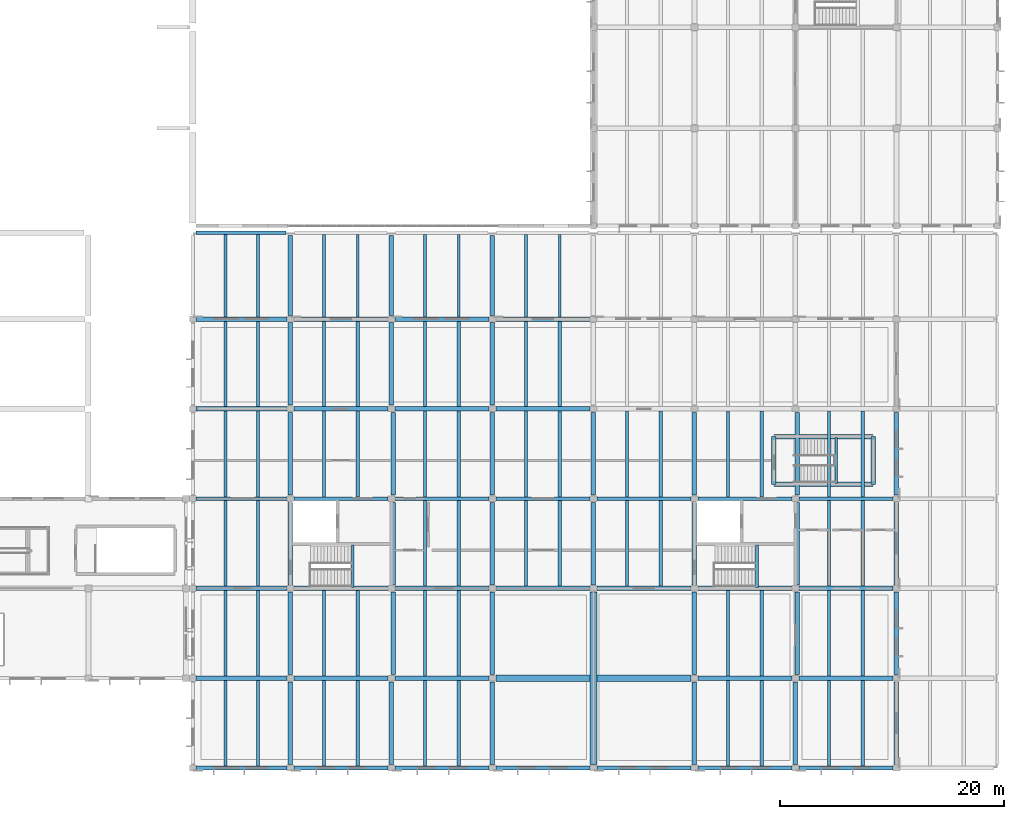
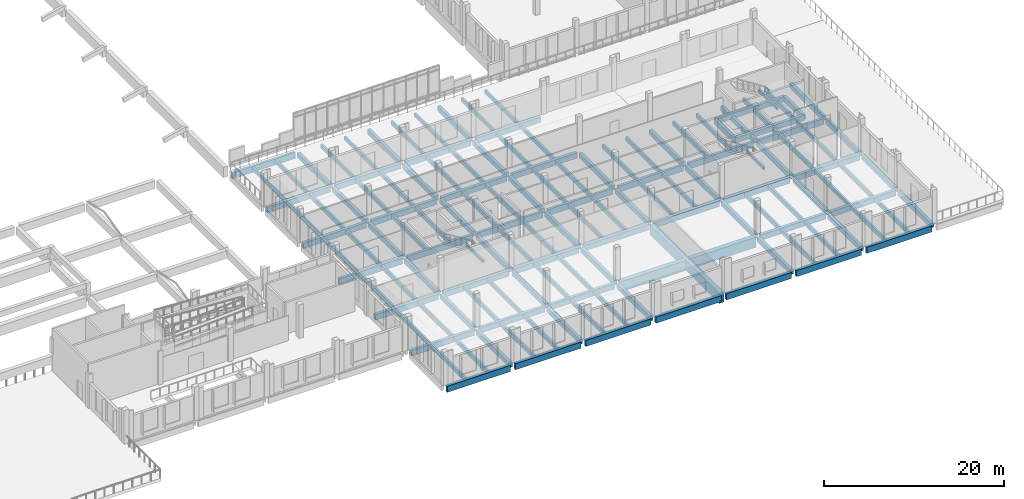
# One storey, part 14 of 63: 136 beams.
"""IFC4 building model written with IfcOpenShell, lengths in metres."""

from ifc_helpers import new_model, si_unit, direction, frame, origin, origin_2d, place, context, subcontext, project, spatial, rectangle, extrude, material, material_profile, profile_set, type_object, element, save


model = new_model("IFC4")

# Units and contexts
model_context = context("Model", 3, precision=1e-05, world=origin(), true_north=direction((0.0, 1.0)))
body_context = subcontext(model_context, "Body", "Model", "MODEL_VIEW")
ifc_project = project(units=[si_unit("LENGTHUNIT", "METRE"), si_unit("AREAUNIT", "SQUARE_METRE"), si_unit("VOLUMEUNIT", "CUBIC_METRE"), si_unit("PLANEANGLEUNIT", "RADIAN"), si_unit("MASSUNIT", "GRAM", prefix="KILO")], contexts=[model_context])

# Site, building, storey
site_placement = place(None, origin())
site = spatial("IfcSite", under=ifc_project, at=site_placement, CompositionType="ELEMENT")
building_placement = place(site_placement, origin())
building = spatial("IfcBuilding", under=site, at=building_placement, Name="Zacnel Wholesale Market", CompositionType="ELEMENT")
storey_placement = place(building_placement, frame((0.0, 0.0, 11.199951171875)))
storey = spatial("IfcBuildingStorey", under=building, at=storey_placement, Name="L03", CompositionType="ELEMENT", Elevation=11.199951171875)

# Beams
ifc_material_1 = material(Name="Precast concrete C45/55", Category="concrete")
ifc_material_profile_1 = material_profile(ifc_material_1, rectangle(XDim=0.280029296875, YDim=0.550048828125, at=origin_2d()), Name="DT RIB 280x550")
ifc_profile_set_1 = profile_set([ifc_material_profile_1], Name="Precast concrete C45/55")
beam_type_1 = type_object("IfcBeamType", Name="BM-DT550", PredefinedType="JOIST", material=ifc_profile_set_1)
for number, where, z_axis, x_axis, name in (
    (1, (147.199951171875, 0.159912109375, -0.574951171875), (0.0, 1.0, 0.0), (-1.0, 0.0, 0.0), "Precast secondary joist L03-0351"),
    (2, (150.10009765625, 0.159912109375, -0.574951171875), (0.0, 1.0, 0.0), (-1.0, 0.0, 0.0), "Precast secondary joist L03-0352"),
    (3, (156.0, 0.159912109375, -0.574951171875), (0.0, 1.0, 0.0), (-1.0, 0.0, 0.0), "Precast secondary joist L03-0353"),
    (4, (159.0, 0.159912109375, -0.574951171875), (0.0, 1.0, 0.0), (-1.0, 0.0, 0.0), "Precast secondary joist L03-0354"),
    (5, (165.0, 0.159912109375, -0.574951171875), (0.0, 1.0, 0.0), (-1.0, 0.0, 0.0), "Precast secondary joist L03-0355"),
    (6, (168.0, 0.159912109375, -0.574951171875), (0.0, 1.0, 0.0), (-1.0, 0.0, 0.0), "Precast secondary joist L03-0356"),
    (7, (192.0, 0.159912109375, -0.574951171875), (0.0, 1.0, 0.0), (-1.0, 0.0, 0.0), "Precast secondary joist L03-0357"),
    (8, (195.0, 0.159912109375, -0.574951171875), (0.0, 1.0, 0.0), (-1.0, 0.0, 0.0), "Precast secondary joist L03-0358"),
    (9, (201.0, 0.159912109375, -0.574951171875), (0.0, 1.0, 0.0), (-1.0, 0.0, 0.0), "Precast secondary joist L03-0359"),
    (10, (204.0, 0.159912109375, -0.574951171875), (0.0, 1.0, 0.0), (-1.0, 0.0, 0.0), "Precast secondary joist L03-0360"),
):
    element("IfcBeam", number, at=place(storey_placement, frame(where, z_axis=z_axis, x_axis=x_axis)), inside=storey, type_object=beam_type_1, Name=name, PredefinedType="JOIST", context=body_context, shape_type="SweptSolid", body=[
        extrude(rectangle(XDim=0.280029296875, YDim=0.550048828125, at=origin_2d()), origin(), (0.0, 0.0, 1.0), 7.64013671875),
    ])
for number, where, z_axis, x_axis, name in (
    (11, (147.199951171875, 8.199951171875, -0.574951171875), (0.0, 1.0, 0.0), (-1.0, 0.0, 0.0), "Precast secondary joist L03-0369"),
    (12, (150.10009765625, 8.199951171875, -0.574951171875), (0.0, 1.0, 0.0), (-1.0, 0.0, 0.0), "Precast secondary joist L03-0370"),
    (13, (156.0, 8.199951171875, -0.574951171875), (0.0, 1.0, 0.0), (-1.0, 0.0, 0.0), "Precast secondary joist L03-0371"),
    (14, (159.0, 8.199951171875, -0.574951171875), (0.0, 1.0, 0.0), (-1.0, 0.0, 0.0), "Precast secondary joist L03-0372"),
    (15, (165.0, 8.199951171875, -0.574951171875), (0.0, 1.0, 0.0), (-1.0, 0.0, 0.0), "Precast secondary joist L03-0373"),
    (16, (168.0, 8.199951171875, -0.574951171875), (0.0, 1.0, 0.0), (-1.0, 0.0, 0.0), "Precast secondary joist L03-0374"),
    (17, (192.0, 8.199951171875, -0.574951171875), (0.0, 1.0, 0.0), (-1.0, 0.0, 0.0), "Precast secondary joist L03-0375"),
    (18, (195.0, 8.199951171875, -0.574951171875), (0.0, 1.0, 0.0), (-1.0, 0.0, 0.0), "Precast secondary joist L03-0376"),
    (19, (201.0, 8.199951171875, -0.574951171875), (0.0, 1.0, 0.0), (-1.0, 0.0, 0.0), "Precast secondary joist L03-0377"),
    (20, (204.0, 8.199951171875, -0.574951171875), (0.0, 1.0, 0.0), (-1.0, 0.0, 0.0), "Precast secondary joist L03-0378"),
):
    element("IfcBeam", number, at=place(storey_placement, frame(where, z_axis=z_axis, x_axis=x_axis)), inside=storey, type_object=beam_type_1, Name=name, PredefinedType="JOIST", context=body_context, shape_type="SweptSolid", body=[
        extrude(rectangle(XDim=0.280029296875, YDim=0.550048828125, at=origin_2d()), origin(), (0.0, 0.0, 1.0), 7.60009765625),
    ])
for number, where, z_axis, x_axis, name in (
    (21, (147.199951171875, 16.199951171875, -0.574951171875), (0.0, 1.0, 0.0), (-1.0, 0.0, 0.0), "Precast secondary joist L03-0381"),
    (22, (150.10009765625, 16.199951171875, -0.574951171875), (0.0, 1.0, 0.0), (-1.0, 0.0, 0.0), "Precast secondary joist L03-0382"),
    (23, (165.0, 16.199951171875, -0.574951171875), (0.0, 1.0, 0.0), (-1.0, 0.0, 0.0), "Precast secondary joist L03-0383"),
    (24, (168.0, 16.199951171875, -0.574951171875), (0.0, 1.0, 0.0), (-1.0, 0.0, 0.0), "Precast secondary joist L03-0384"),
    (25, (174.0, 16.199951171875, -0.574951171875), (0.0, 1.0, 0.0), (-1.0, 0.0, 0.0), "Precast secondary joist L03-0385"),
    (26, (177.0, 16.199951171875, -0.574951171875), (0.0, 1.0, 0.0), (-1.0, 0.0, 0.0), "Precast secondary joist L03-0386"),
    (27, (183.0, 16.199951171875, -0.574951171875), (0.0, 1.0, 0.0), (-1.0, 0.0, 0.0), "Precast secondary joist L03-0387"),
    (28, (186.0, 16.199951171875, -0.574951171875), (0.0, 1.0, 0.0), (-1.0, 0.0, 0.0), "Precast secondary joist L03-0388"),
    (29, (201.0, 16.199951171875, -0.574951171875), (0.0, 1.0, 0.0), (-1.0, 0.0, 0.0), "Precast secondary joist L03-0389"),
    (30, (204.0, 16.199951171875, -0.574951171875), (0.0, 1.0, 0.0), (-1.0, 0.0, 0.0), "Precast secondary joist L03-0390"),
    (31, (147.199951171875, 24.159912109375, -0.574951171875), (0.0, 1.0, 0.0), (-1.0, 0.0, 0.0), "Precast secondary joist L03-0405"),
    (32, (150.10009765625, 24.159912109375, -0.574951171875), (0.0, 1.0, 0.0), (-1.0, 0.0, 0.0), "Precast secondary joist L03-0406"),
    (33, (156.0, 24.159912109375, -0.574951171875), (0.0, 1.0, 0.0), (-1.0, 0.0, 0.0), "Precast secondary joist L03-0407"),
    (34, (159.0, 24.159912109375, -0.574951171875), (0.0, 1.0, 0.0), (-1.0, 0.0, 0.0), "Precast secondary joist L03-0408"),
    (35, (165.0, 24.159912109375, -0.574951171875), (0.0, 1.0, 0.0), (-1.0, 0.0, 0.0), "Precast secondary joist L03-0409"),
    (36, (168.0, 24.159912109375, -0.574951171875), (0.0, 1.0, 0.0), (-1.0, 0.0, 0.0), "Precast secondary joist L03-0410"),
    (37, (174.0, 24.159912109375, -0.574951171875), (0.0, 1.0, 0.0), (-1.0, 0.0, 0.0), "Precast secondary joist L03-0411"),
    (38, (177.0, 24.159912109375, -0.574951171875), (0.0, 1.0, 0.0), (-1.0, 0.0, 0.0), "Precast secondary joist L03-0412"),
    (39, (183.0, 24.159912109375, -0.574951171875), (0.0, 1.0, 0.0), (-1.0, 0.0, 0.0), "Precast secondary joist L03-0413"),
    (40, (186.0, 24.159912109375, -0.574951171875), (0.0, 1.0, 0.0), (-1.0, 0.0, 0.0), "Precast secondary joist L03-0414"),
    (41, (192.0, 24.159912109375, -0.574951171875), (0.0, 1.0, 0.0), (-1.0, 0.0, 0.0), "Precast secondary joist L03-0415"),
    (42, (195.0, 24.159912109375, -0.574951171875), (0.0, 1.0, 0.0), (-1.0, 0.0, 0.0), "Precast secondary joist L03-0416"),
    (43, (201.0, 24.159912109375, -0.574951171875), (0.0, 1.0, 0.0), (-1.0, 0.0, 0.0), "Precast secondary joist L03-0417"),
    (44, (204.0, 24.159912109375, -0.574951171875), (0.0, 1.0, 0.0), (-1.0, 0.0, 0.0), "Precast secondary joist L03-0418"),
):
    element("IfcBeam", number, at=place(storey_placement, frame(where, z_axis=z_axis, x_axis=x_axis)), inside=storey, type_object=beam_type_1, Name=name, PredefinedType="JOIST", context=body_context, shape_type="SweptSolid", body=[
        extrude(rectangle(XDim=0.280029296875, YDim=0.550048828125, at=origin_2d()), origin(), (0.0, 0.0, 1.0), 7.64013671875),
    ])
for number, where, z_axis, x_axis, name in (
    (45, (147.199951171875, 32.199951171875, -0.574951171875), (0.0, 1.0, 0.0), (-1.0, 0.0, 0.0), "Precast secondary joist L03-0431"),
    (46, (150.10009765625, 32.199951171875, -0.574951171875), (0.0, 1.0, 0.0), (-1.0, 0.0, 0.0), "Precast secondary joist L03-0432"),
    (47, (156.0, 32.199951171875, -0.574951171875), (0.0, 1.0, 0.0), (-1.0, 0.0, 0.0), "Precast secondary joist L03-0433"),
    (48, (159.0, 32.199951171875, -0.574951171875), (0.0, 1.0, 0.0), (-1.0, 0.0, 0.0), "Precast secondary joist L03-0434"),
    (49, (165.0, 32.199951171875, -0.574951171875), (0.0, 1.0, 0.0), (-1.0, 0.0, 0.0), "Precast secondary joist L03-0435"),
    (50, (168.0, 32.199951171875, -0.574951171875), (0.0, 1.0, 0.0), (-1.0, 0.0, 0.0), "Precast secondary joist L03-0436"),
    (51, (174.0, 32.199951171875, -0.574951171875), (0.0, 1.0, 0.0), (-1.0, 0.0, 0.0), "Precast secondary joist L03-0437"),
    (52, (177.0, 32.199951171875, -0.574951171875), (0.0, 1.0, 0.0), (-1.0, 0.0, 0.0), "Precast secondary joist L03-0438"),
):
    element("IfcBeam", number, at=place(storey_placement, frame(where, z_axis=z_axis, x_axis=x_axis)), inside=storey, type_object=beam_type_1, Name=name, PredefinedType="JOIST", context=body_context, shape_type="SweptSolid", body=[
        extrude(rectangle(XDim=0.280029296875, YDim=0.550048828125, at=origin_2d()), origin(), (0.0, 0.0, 1.0), 7.60009765625),
    ])
ifc_material_2 = material(Name="Precast concrete C45/55", Category="concrete")
ifc_material_profile_2 = material_profile(ifc_material_2, rectangle(XDim=0.25, YDim=0.35009765625, at=origin_2d()), Name="LN 250x350")
ifc_profile_set_2 = profile_set([ifc_material_profile_2], Name="Precast concrete C45/55")
beam_type_2 = type_object("IfcBeamType", Name="BM-LN350", PredefinedType="LINTEL", material=ifc_profile_set_2)
for number, where, z_axis, x_axis, name in (
    (53, (158.56005859375, 16.080078125, 1.900146484375), (0.0, 1.0, 0.0), (-1.0, 0.0, 0.0), "Stair ST-03 half-landing bearing beam"),
    (54, (194.56005859375, 16.080078125, 1.900146484375), (0.0, 1.0, 0.0), (-1.0, 0.0, 0.0), "Stair ST-06 half-landing bearing beam"),
):
    element("IfcBeam", number, at=place(storey_placement, frame(where, z_axis=z_axis, x_axis=x_axis)), inside=storey, type_object=beam_type_2, Name=name, PredefinedType="LINTEL", context=body_context, shape_type="SweptSolid", body=[
        extrude(rectangle(XDim=0.25, YDim=0.35009765625, at=origin_2d()), origin(), (0.0, 0.0, 1.0), 3.7900390625),
    ])
beam_1_placement = place(storey_placement, frame((201.6298828125, 25.35009765625, 1.900146484375), z_axis=(0.0, 1.0, 0.0), x_axis=(-1.0, 0.0, 0.0)))
element("IfcBeam", 55, at=beam_1_placement, inside=storey, type_object=beam_type_2, Name="Stair ST-26 half-landing bearing beam", PredefinedType="LINTEL", context=body_context, shape_type="SweptSolid", body=[
    extrude(rectangle(XDim=0.25, YDim=0.35009765625, at=origin_2d()), origin(), (0.0, 0.0, 1.0), 4.099853515625),
])
ifc_material_3 = material(Name="Precast concrete C45/55", Category="concrete")
ifc_material_profile_3 = material_profile(ifc_material_3, rectangle(XDim=0.60009765625, YDim=1.35009765625, at=origin_2d()), Name="PG 600x1350")
ifc_profile_set_3 = profile_set([ifc_material_profile_3], Name="Precast concrete C45/55")
beam_type_3 = type_object("IfcBeamType", Name="BM-PG1350", PredefinedType="T_BEAM", material=ifc_profile_set_3)
beam_2_placement = place(storey_placement, frame((171.324951171875, 8.0, -0.974853515625), z_axis=(1.0, 0.0, 0.0), x_axis=(0.0, 1.0, 0.0)))
element("IfcBeam", 56, at=beam_2_placement, inside=storey, type_object=beam_type_3, Name="Precast girder X-0575", PredefinedType="T_BEAM", context=body_context, shape_type="SweptSolid", body=[
    extrude(rectangle(XDim=0.60009765625, YDim=1.35009765625, at=origin_2d()), origin(), (0.0, 0.0, 1.0), 17.35009765625),
])
beam_3_placement = place(storey_placement, frame((180.0, 0.324951171875, -0.974853515625), z_axis=(0.0, 1.0, 0.0), x_axis=(-1.0, 0.0, 0.0)))
element("IfcBeam", 57, at=beam_3_placement, inside=storey, type_object=beam_type_3, Name="Precast girder Y-0954", PredefinedType="T_BEAM", context=body_context, shape_type="SweptSolid", body=[
    extrude(rectangle(XDim=0.60009765625, YDim=1.35009765625, at=origin_2d()), origin(), (0.0, 0.0, 1.0), 15.35009765625),
])
ifc_material_4 = material(Name="Precast concrete C45/55", Category="concrete")
ifc_material_profile_4 = material_profile(ifc_material_4, rectangle(XDim=0.39990234375, YDim=0.64990234375, at=origin_2d()), Name="PG 400x650")
ifc_profile_set_4 = profile_set([ifc_material_profile_4], Name="Precast concrete C45/55")
beam_type_4 = type_object("IfcBeamType", Name="BM-PG650", PredefinedType="BEAM", material=ifc_profile_set_4)
for number, where, z_axis, x_axis, name in (
    (58, (153.0, 0.324951171875, -0.625), (0.0, 1.0, 0.0), (-1.0, 0.0, 0.0), "Precast girder Y-0933"),
    (59, (153.0, 8.324951171875, -0.625), (0.0, 1.0, 0.0), (-1.0, 0.0, 0.0), "Precast girder Y-0934"),
    (60, (153.0, 16.324951171875, -0.625), (0.0, 1.0, 0.0), (-1.0, 0.0, 0.0), "Precast girder Y-0935"),
    (61, (153.0, 24.324951171875, -0.625), (0.0, 1.0, 0.0), (-1.0, 0.0, 0.0), "Precast girder Y-0936"),
    (62, (153.0, 32.324951171875, -0.625), (0.0, 1.0, 0.0), (-1.0, 0.0, 0.0), "Precast girder Y-0937"),
):
    element("IfcBeam", number, at=place(storey_placement, frame(where, z_axis=z_axis, x_axis=x_axis)), inside=storey, type_object=beam_type_4, Name=name, PredefinedType="BEAM", context=body_context, shape_type="SweptSolid", body=[
        extrude(rectangle(XDim=0.39990234375, YDim=0.64990234375, at=origin_2d()), origin(), (0.0, 0.0, 1.0), 7.35009765625),
    ])
beam_4_placement = place(storey_placement, frame((153.0, 40.324951171875, -0.6650390625), z_axis=(0.0, 1.0, 0.0), x_axis=(-1.0, 0.0, 0.0)))
element("IfcBeam", 63, at=beam_4_placement, inside=storey, type_object=beam_type_4, Name="Precast girder Y-0938", PredefinedType="BEAM", context=body_context, shape_type="SweptSolid", body=[
    extrude(rectangle(XDim=0.39990234375, YDim=0.64990234375, at=origin_2d()), origin(), (0.0, 0.0, 1.0), 7.10009765625),
])
for number, where, z_axis, x_axis, name in (
    (64, (162.0, 0.324951171875, -0.625), (0.0, 1.0, 0.0), (-1.0, 0.0, 0.0), "Precast girder Y-0940"),
    (65, (162.179931640625, 8.324951171875, -0.625), (0.0, 1.0, 0.0), (-1.0, 0.0, 0.0), "Precast girder Y-0941"),
    (66, (162.179931640625, 16.324951171875, -0.625), (0.0, 1.0, 0.0), (-1.0, 0.0, 0.0), "Precast girder Y-0942"),
    (67, (162.179931640625, 24.324951171875, -0.625), (0.0, 1.0, 0.0), (-1.0, 0.0, 0.0), "Precast girder Y-0943"),
    (68, (162.0, 32.324951171875, -0.625), (0.0, 1.0, 0.0), (-1.0, 0.0, 0.0), "Precast girder Y-0944"),
):
    element("IfcBeam", number, at=place(storey_placement, frame(where, z_axis=z_axis, x_axis=x_axis)), inside=storey, type_object=beam_type_4, Name=name, PredefinedType="BEAM", context=body_context, shape_type="SweptSolid", body=[
        extrude(rectangle(XDim=0.39990234375, YDim=0.64990234375, at=origin_2d()), origin(), (0.0, 0.0, 1.0), 7.35009765625),
    ])
beam_5_placement = place(storey_placement, frame((162.0, 40.324951171875, -0.6650390625), z_axis=(0.0, 1.0, 0.0), x_axis=(-1.0, 0.0, 0.0)))
element("IfcBeam", 69, at=beam_5_placement, inside=storey, type_object=beam_type_4, Name="Precast girder Y-0945", PredefinedType="BEAM", context=body_context, shape_type="SweptSolid", body=[
    extrude(rectangle(XDim=0.39990234375, YDim=0.64990234375, at=origin_2d()), origin(), (0.0, 0.0, 1.0), 7.10009765625),
])
for number, where, z_axis, x_axis, name in (
    (70, (171.0, 0.324951171875, -0.625), (0.0, 1.0, 0.0), (-1.0, 0.0, 0.0), "Precast girder Y-0947"),
    (71, (171.0, 8.324951171875, -0.625), (0.0, 1.0, 0.0), (-1.0, 0.0, 0.0), "Precast girder Y-0948"),
    (72, (171.0, 16.324951171875, -0.625), (0.0, 1.0, 0.0), (-1.0, 0.0, 0.0), "Precast girder Y-0949"),
    (73, (171.0, 24.324951171875, -0.625), (0.0, 1.0, 0.0), (-1.0, 0.0, 0.0), "Precast girder Y-0950"),
    (74, (171.0, 32.324951171875, -0.625), (0.0, 1.0, 0.0), (-1.0, 0.0, 0.0), "Precast girder Y-0951"),
):
    element("IfcBeam", number, at=place(storey_placement, frame(where, z_axis=z_axis, x_axis=x_axis)), inside=storey, type_object=beam_type_4, Name=name, PredefinedType="BEAM", context=body_context, shape_type="SweptSolid", body=[
        extrude(rectangle(XDim=0.39990234375, YDim=0.64990234375, at=origin_2d()), origin(), (0.0, 0.0, 1.0), 7.35009765625),
    ])
beam_6_placement = place(storey_placement, frame((171.0, 40.324951171875, -0.6650390625), z_axis=(0.0, 1.0, 0.0), x_axis=(-1.0, 0.0, 0.0)))
element("IfcBeam", 75, at=beam_6_placement, inside=storey, type_object=beam_type_4, Name="Precast girder Y-0952", PredefinedType="BEAM", context=body_context, shape_type="SweptSolid", body=[
    extrude(rectangle(XDim=0.39990234375, YDim=0.64990234375, at=origin_2d()), origin(), (0.0, 0.0, 1.0), 7.10009765625),
])
for number, where, z_axis, x_axis, name in (
    (76, (180.0, 16.324951171875, -0.625), (0.0, 1.0, 0.0), (-1.0, 0.0, 0.0), "Precast girder Y-0955"),
    (77, (180.0, 24.324951171875, -0.625), (0.0, 1.0, 0.0), (-1.0, 0.0, 0.0), "Precast girder Y-0956"),
    (78, (189.0, 0.324951171875, -0.625), (0.0, 1.0, 0.0), (-1.0, 0.0, 0.0), "Precast girder Y-0965"),
    (79, (189.0, 8.324951171875, -0.625), (0.0, 1.0, 0.0), (-1.0, 0.0, 0.0), "Precast girder Y-0966"),
    (80, (189.0, 16.324951171875, -0.625), (0.0, 1.0, 0.0), (-1.0, 0.0, 0.0), "Precast girder Y-0967"),
    (81, (189.0, 24.324951171875, -0.625), (0.0, 1.0, 0.0), (-1.0, 0.0, 0.0), "Precast girder Y-0968"),
    (82, (198.0, 0.324951171875, -0.625), (0.0, 1.0, 0.0), (-1.0, 0.0, 0.0), "Precast girder Y-0977"),
    (83, (198.179931640625, 8.324951171875, -0.625), (0.0, 1.0, 0.0), (-1.0, 0.0, 0.0), "Precast girder Y-0978"),
    (84, (198.179931640625, 16.324951171875, -0.625), (0.0, 1.0, 0.0), (-1.0, 0.0, 0.0), "Precast girder Y-0979"),
    (85, (198.179931640625, 24.324951171875, -0.625), (0.0, 1.0, 0.0), (-1.0, 0.0, 0.0), "Precast girder Y-0980"),
    (86, (207.0, 0.324951171875, -0.625), (0.0, 1.0, 0.0), (-1.0, 0.0, 0.0), "Precast girder Y-0988"),
    (87, (207.0, 8.324951171875, -0.625), (0.0, 1.0, 0.0), (-1.0, 0.0, 0.0), "Precast girder Y-0989"),
    (88, (207.0, 16.324951171875, -0.625), (0.0, 1.0, 0.0), (-1.0, 0.0, 0.0), "Precast girder Y-0990"),
    (89, (207.0, 24.324951171875, -0.625), (0.0, 1.0, 0.0), (-1.0, 0.0, 0.0), "Precast girder Y-0991"),
):
    element("IfcBeam", number, at=place(storey_placement, frame(where, z_axis=z_axis, x_axis=x_axis)), inside=storey, type_object=beam_type_4, Name=name, PredefinedType="BEAM", context=body_context, shape_type="SweptSolid", body=[
        extrude(rectangle(XDim=0.39990234375, YDim=0.64990234375, at=origin_2d()), origin(), (0.0, 0.0, 1.0), 7.35009765625),
    ])
ifc_material_5 = material(Name="Precast concrete C45/55", Category="concrete")
ifc_material_profile_5 = material_profile(ifc_material_5, rectangle(XDim=0.39990234375, YDim=0.699951171875, at=origin_2d()), Name="PG 400x700")
ifc_profile_set_5 = profile_set([ifc_material_profile_5], Name="Precast concrete C45/55")
beam_type_5 = type_object("IfcBeamType", Name="BM-PG700", PredefinedType="BEAM", material=ifc_profile_set_5)
for number, where, z_axis, x_axis, name in (
    (90, (196.074951171875, 25.27490234375, -0.349853515625), (1.0, 0.0, 0.0), (0.0, 1.0, 0.0), "Stair ST-26 shaft transfer beam S"),
    (91, (196.074951171875, 29.52490234375, -0.349853515625), (1.0, 0.0, 0.0), (0.0, 1.0, 0.0), "Stair ST-26 shaft transfer beam N"),
):
    element("IfcBeam", number, at=place(storey_placement, frame(where, z_axis=z_axis, x_axis=x_axis)), inside=storey, type_object=beam_type_5, Name=name, PredefinedType="BEAM", context=body_context, shape_type="SweptSolid", body=[
        extrude(rectangle(XDim=0.39990234375, YDim=0.699951171875, at=origin_2d()), origin(), (0.0, 0.0, 1.0), 8.85009765625),
    ])
for number, where, z_axis, x_axis, name in (
    (92, (196.074951171875, 25.27490234375, -0.349853515625), (0.0, 1.0, 0.0), (-1.0, 0.0, 0.0), "Stair ST-26 shaft transfer beam W"),
    (93, (204.925048828125, 25.27490234375, -0.349853515625), (0.0, 1.0, 0.0), (-1.0, 0.0, 0.0), "Stair ST-26 shaft transfer beam E"),
):
    element("IfcBeam", number, at=place(storey_placement, frame(where, z_axis=z_axis, x_axis=x_axis)), inside=storey, type_object=beam_type_5, Name=name, PredefinedType="BEAM", context=body_context, shape_type="SweptSolid", body=[
        extrude(rectangle(XDim=0.39990234375, YDim=0.699951171875, at=origin_2d()), origin(), (0.0, 0.0, 1.0), 4.25),
    ])
ifc_material_6 = material(Name="Precast concrete C45/55", Category="concrete")
ifc_material_profile_6 = material_profile(ifc_material_6, rectangle(XDim=0.39990234375, YDim=0.75, at=origin_2d()), Name="PG 400x750")
ifc_profile_set_6 = profile_set([ifc_material_profile_6], Name="Precast concrete C45/55")
beam_type_6 = type_object("IfcBeamType", Name="BM-PG750", PredefinedType="BEAM", material=ifc_profile_set_6)
beam_7_placement = place(storey_placement, frame((144.574951171875, 8.0, -0.675048828125), z_axis=(1.0, 0.0, 0.0), x_axis=(0.0, 1.0, 0.0)))
element("IfcBeam", 94, at=beam_7_placement, inside=storey, type_object=beam_type_6, Name="Precast girder X-0572", PredefinedType="BEAM", context=body_context, shape_type="SweptSolid", body=[
    extrude(rectangle(XDim=0.39990234375, YDim=0.75, at=origin_2d()), origin(), (0.0, 0.0, 1.0), 8.10009765625),
])
for number, where, z_axis, x_axis, name in (
    (95, (153.324951171875, 8.0, -0.675048828125), (1.0, 0.0, 0.0), (0.0, 1.0, 0.0), "Precast girder X-0573"),
    (96, (162.324951171875, 8.0, -0.675048828125), (1.0, 0.0, 0.0), (0.0, 1.0, 0.0), "Precast girder X-0574"),
    (97, (189.324951171875, 8.0, -0.675048828125), (1.0, 0.0, 0.0), (0.0, 1.0, 0.0), "Precast girder X-0576"),
    (98, (198.324951171875, 8.0, -0.675048828125), (1.0, 0.0, 0.0), (0.0, 1.0, 0.0), "Precast girder X-0577"),
):
    element("IfcBeam", number, at=place(storey_placement, frame(where, z_axis=z_axis, x_axis=x_axis)), inside=storey, type_object=beam_type_6, Name=name, PredefinedType="BEAM", context=body_context, shape_type="SweptSolid", body=[
        extrude(rectangle(XDim=0.39990234375, YDim=0.75, at=origin_2d()), origin(), (0.0, 0.0, 1.0), 8.35009765625),
    ])
beam_8_placement = place(storey_placement, frame((144.574951171875, 16.0, -0.675048828125), z_axis=(1.0, 0.0, 0.0), x_axis=(0.0, 1.0, 0.0)))
element("IfcBeam", 99, at=beam_8_placement, inside=storey, type_object=beam_type_6, Name="Precast girder X-0587", PredefinedType="BEAM", context=body_context, shape_type="SweptSolid", body=[
    extrude(rectangle(XDim=0.39990234375, YDim=0.75, at=origin_2d()), origin(), (0.0, 0.0, 1.0), 8.10009765625),
])
for number, where, z_axis, x_axis, name in (
    (100, (153.324951171875, 16.0, -0.675048828125), (1.0, 0.0, 0.0), (0.0, 1.0, 0.0), "Precast girder X-0588"),
    (101, (162.324951171875, 16.0, -0.675048828125), (1.0, 0.0, 0.0), (0.0, 1.0, 0.0), "Precast girder X-0589"),
    (102, (171.324951171875, 16.0, -0.675048828125), (1.0, 0.0, 0.0), (0.0, 1.0, 0.0), "Precast girder X-0590"),
    (103, (180.324951171875, 16.0, -0.675048828125), (1.0, 0.0, 0.0), (0.0, 1.0, 0.0), "Precast girder X-0591"),
    (104, (189.324951171875, 16.0, -0.675048828125), (1.0, 0.0, 0.0), (0.0, 1.0, 0.0), "Precast girder X-0592"),
    (105, (198.324951171875, 16.0, -0.675048828125), (1.0, 0.0, 0.0), (0.0, 1.0, 0.0), "Precast girder X-0593"),
):
    element("IfcBeam", number, at=place(storey_placement, frame(where, z_axis=z_axis, x_axis=x_axis)), inside=storey, type_object=beam_type_6, Name=name, PredefinedType="BEAM", context=body_context, shape_type="SweptSolid", body=[
        extrude(rectangle(XDim=0.39990234375, YDim=0.75, at=origin_2d()), origin(), (0.0, 0.0, 1.0), 8.35009765625),
    ])
beam_9_placement = place(storey_placement, frame((144.574951171875, 32.0, -0.675048828125), z_axis=(1.0, 0.0, 0.0), x_axis=(0.0, 1.0, 0.0)))
element("IfcBeam", 106, at=beam_9_placement, inside=storey, type_object=beam_type_6, Name="Precast girder X-0623", PredefinedType="BEAM", context=body_context, shape_type="SweptSolid", body=[
    extrude(rectangle(XDim=0.39990234375, YDim=0.75, at=origin_2d()), origin(), (0.0, 0.0, 1.0), 8.10009765625),
])
for number, where, z_axis, x_axis, name in (
    (107, (153.324951171875, 32.0, -0.675048828125), (1.0, 0.0, 0.0), (0.0, 1.0, 0.0), "Precast girder X-0624"),
    (108, (162.324951171875, 32.0, -0.675048828125), (1.0, 0.0, 0.0), (0.0, 1.0, 0.0), "Precast girder X-0625"),
    (109, (171.324951171875, 32.0, -0.675048828125), (1.0, 0.0, 0.0), (0.0, 1.0, 0.0), "Precast girder X-0626"),
):
    element("IfcBeam", number, at=place(storey_placement, frame(where, z_axis=z_axis, x_axis=x_axis)), inside=storey, type_object=beam_type_6, Name=name, PredefinedType="BEAM", context=body_context, shape_type="SweptSolid", body=[
        extrude(rectangle(XDim=0.39990234375, YDim=0.75, at=origin_2d()), origin(), (0.0, 0.0, 1.0), 8.35009765625),
    ])
beam_10_placement = place(storey_placement, frame((144.574951171875, 40.0, -0.675048828125), z_axis=(1.0, 0.0, 0.0), x_axis=(0.0, 1.0, 0.0)))
element("IfcBeam", 110, at=beam_10_placement, inside=storey, type_object=beam_type_6, Name="Precast girder X-0642", PredefinedType="BEAM", context=body_context, shape_type="SweptSolid", body=[
    extrude(rectangle(XDim=0.39990234375, YDim=0.75, at=origin_2d()), origin(), (0.0, 0.0, 1.0), 8.10009765625),
])
for number, where, z_axis, x_axis, name in (
    (111, (153.324951171875, 40.0, -0.675048828125), (1.0, 0.0, 0.0), (0.0, 1.0, 0.0), "Precast girder X-0643"),
    (112, (162.324951171875, 40.0, -0.675048828125), (1.0, 0.0, 0.0), (0.0, 1.0, 0.0), "Precast girder X-0644"),
    (113, (171.324951171875, 40.0, -0.675048828125), (1.0, 0.0, 0.0), (0.0, 1.0, 0.0), "Precast girder X-0645"),
):
    element("IfcBeam", number, at=place(storey_placement, frame(where, z_axis=z_axis, x_axis=x_axis)), inside=storey, type_object=beam_type_6, Name=name, PredefinedType="BEAM", context=body_context, shape_type="SweptSolid", body=[
        extrude(rectangle(XDim=0.39990234375, YDim=0.75, at=origin_2d()), origin(), (0.0, 0.0, 1.0), 8.35009765625),
    ])
ifc_material_7 = material(Name="Precast concrete C45/55", Category="concrete")
ifc_material_profile_7 = material_profile(ifc_material_7, rectangle(XDim=0.260009765625, YDim=0.5, at=origin_2d()), Name="PJ 260x500")
ifc_profile_set_7 = profile_set([ifc_material_profile_7], Name="Precast concrete C45/55")
beam_type_7 = type_object("IfcBeamType", Name="BM-PJ500", PredefinedType="HOLLOWCORE", material=ifc_profile_set_7)
for number, where, z_axis, x_axis, name in (
    (114, (147.199951171875, 40.199951171875, -0.58984375), (0.0, 1.0, 0.0), (-1.0, 0.0, 0.0), "Precast secondary joist L03-0459"),
    (115, (150.10009765625, 40.199951171875, -0.58984375), (0.0, 1.0, 0.0), (-1.0, 0.0, 0.0), "Precast secondary joist L03-0460"),
    (116, (156.0, 40.199951171875, -0.58984375), (0.0, 1.0, 0.0), (-1.0, 0.0, 0.0), "Precast secondary joist L03-0461"),
    (117, (159.0, 40.199951171875, -0.58984375), (0.0, 1.0, 0.0), (-1.0, 0.0, 0.0), "Precast secondary joist L03-0462"),
    (118, (165.0, 40.199951171875, -0.58984375), (0.0, 1.0, 0.0), (-1.0, 0.0, 0.0), "Precast secondary joist L03-0463"),
    (119, (168.0, 40.199951171875, -0.58984375), (0.0, 1.0, 0.0), (-1.0, 0.0, 0.0), "Precast secondary joist L03-0464"),
    (120, (174.0, 40.199951171875, -0.58984375), (0.0, 1.0, 0.0), (-1.0, 0.0, 0.0), "Precast secondary joist L03-0465"),
    (121, (177.0, 40.199951171875, -0.58984375), (0.0, 1.0, 0.0), (-1.0, 0.0, 0.0), "Precast secondary joist L03-0466"),
):
    element("IfcBeam", number, at=place(storey_placement, frame(where, z_axis=z_axis, x_axis=x_axis)), inside=storey, type_object=beam_type_7, Name=name, PredefinedType="HOLLOWCORE", context=body_context, shape_type="SweptSolid", body=[
        extrude(rectangle(XDim=0.260009765625, YDim=0.5, at=origin_2d()), origin(), (0.0, 0.0, 1.0), 7.340087890625),
    ])
ifc_material_8 = material(Name="Precast concrete C45/55", Category="concrete")
ifc_material_profile_8 = material_profile(ifc_material_8, rectangle(XDim=0.320068359375, YDim=0.820068359375, at=origin_2d()), Name="SP 320x820")
ifc_profile_set_8 = profile_set([ifc_material_profile_8], Name="Precast concrete C45/55")
beam_type_8 = type_object("IfcBeamType", Name="BM-SP820", PredefinedType="SPANDREL", material=ifc_profile_set_8)
beam_11_placement = place(storey_placement, frame((144.574951171875, 0.0, -0.7099609375), z_axis=(1.0, 0.0, 0.0), x_axis=(0.0, 1.0, 0.0)))
element("IfcBeam", 122, at=beam_11_placement, inside=storey, type_object=beam_type_8, Name="Precast girder X-0560", PredefinedType="SPANDREL", context=body_context, shape_type="SweptSolid", body=[
    extrude(rectangle(XDim=0.320068359375, YDim=0.820068359375, at=origin_2d()), origin(), (0.0, 0.0, 1.0), 8.10009765625),
])
for number, where, z_axis, x_axis, name in (
    (123, (153.324951171875, 0.0, -0.7099609375), (1.0, 0.0, 0.0), (0.0, 1.0, 0.0), "Precast girder X-0561"),
    (124, (162.324951171875, 0.0, -0.7099609375), (1.0, 0.0, 0.0), (0.0, 1.0, 0.0), "Precast girder X-0562"),
    (125, (171.324951171875, 0.0, -0.7099609375), (1.0, 0.0, 0.0), (0.0, 1.0, 0.0), "Precast girder X-0563"),
    (126, (180.324951171875, 0.0, -0.7099609375), (1.0, 0.0, 0.0), (0.0, 1.0, 0.0), "Precast girder X-0564"),
    (127, (189.324951171875, 0.0, -0.7099609375), (1.0, 0.0, 0.0), (0.0, 1.0, 0.0), "Precast girder X-0565"),
    (128, (198.324951171875, 0.0, -0.7099609375), (1.0, 0.0, 0.0), (0.0, 1.0, 0.0), "Precast girder X-0566"),
):
    element("IfcBeam", number, at=place(storey_placement, frame(where, z_axis=z_axis, x_axis=x_axis)), inside=storey, type_object=beam_type_8, Name=name, PredefinedType="SPANDREL", context=body_context, shape_type="SweptSolid", body=[
        extrude(rectangle(XDim=0.320068359375, YDim=0.820068359375, at=origin_2d()), origin(), (0.0, 0.0, 1.0), 8.35009765625),
    ])
beam_12_placement = place(storey_placement, frame((144.574951171875, 24.0, -0.7099609375), z_axis=(1.0, 0.0, 0.0), x_axis=(0.0, 1.0, 0.0)))
element("IfcBeam", 129, at=beam_12_placement, inside=storey, type_object=beam_type_8, Name="Precast girder X-0604", PredefinedType="SPANDREL", context=body_context, shape_type="SweptSolid", body=[
    extrude(rectangle(XDim=0.320068359375, YDim=0.820068359375, at=origin_2d()), origin(), (0.0, 0.0, 1.0), 8.10009765625),
])
for number, where, z_axis, x_axis, name in (
    (130, (153.324951171875, 24.0, -0.7099609375), (1.0, 0.0, 0.0), (0.0, 1.0, 0.0), "Precast girder X-0605"),
    (131, (162.324951171875, 24.0, -0.7099609375), (1.0, 0.0, 0.0), (0.0, 1.0, 0.0), "Precast girder X-0606"),
    (132, (171.324951171875, 24.0, -0.7099609375), (1.0, 0.0, 0.0), (0.0, 1.0, 0.0), "Precast girder X-0607"),
    (133, (180.324951171875, 24.0, -0.7099609375), (1.0, 0.0, 0.0), (0.0, 1.0, 0.0), "Precast girder X-0608"),
    (134, (189.324951171875, 24.0, -0.7099609375), (1.0, 0.0, 0.0), (0.0, 1.0, 0.0), "Precast girder X-0609"),
    (135, (198.324951171875, 24.0, -0.7099609375), (1.0, 0.0, 0.0), (0.0, 1.0, 0.0), "Precast girder X-0610"),
):
    element("IfcBeam", number, at=place(storey_placement, frame(where, z_axis=z_axis, x_axis=x_axis)), inside=storey, type_object=beam_type_8, Name=name, PredefinedType="SPANDREL", context=body_context, shape_type="SweptSolid", body=[
        extrude(rectangle(XDim=0.320068359375, YDim=0.820068359375, at=origin_2d()), origin(), (0.0, 0.0, 1.0), 8.35009765625),
    ])
beam_13_placement = place(storey_placement, frame((144.574951171875, 47.699951171875, -0.75), z_axis=(1.0, 0.0, 0.0), x_axis=(0.0, 1.0, 0.0)))
element("IfcBeam", 136, at=beam_13_placement, inside=storey, type_object=beam_type_8, Name="Precast girder X-0662", PredefinedType="SPANDREL", context=body_context, shape_type="SweptSolid", body=[
    extrude(rectangle(XDim=0.320068359375, YDim=0.820068359375, at=origin_2d()), origin(), (0.0, 0.0, 1.0), 8.050048828125),
])

save(model, "model.ifc")
